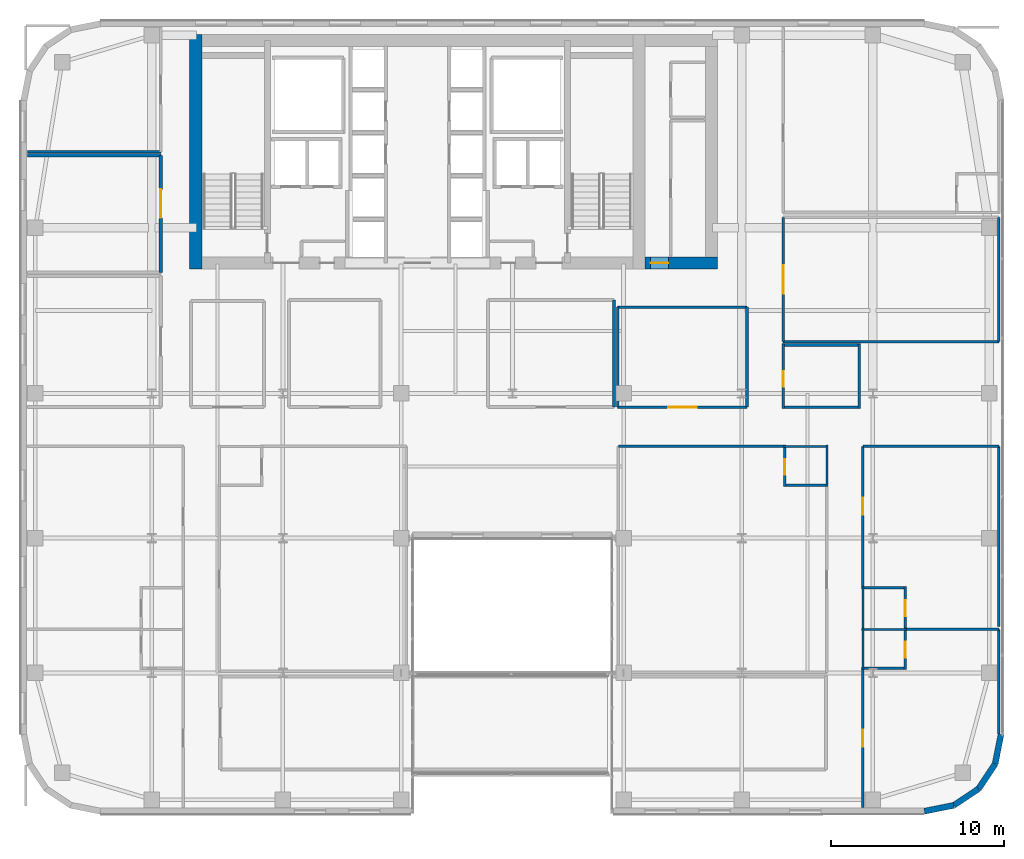
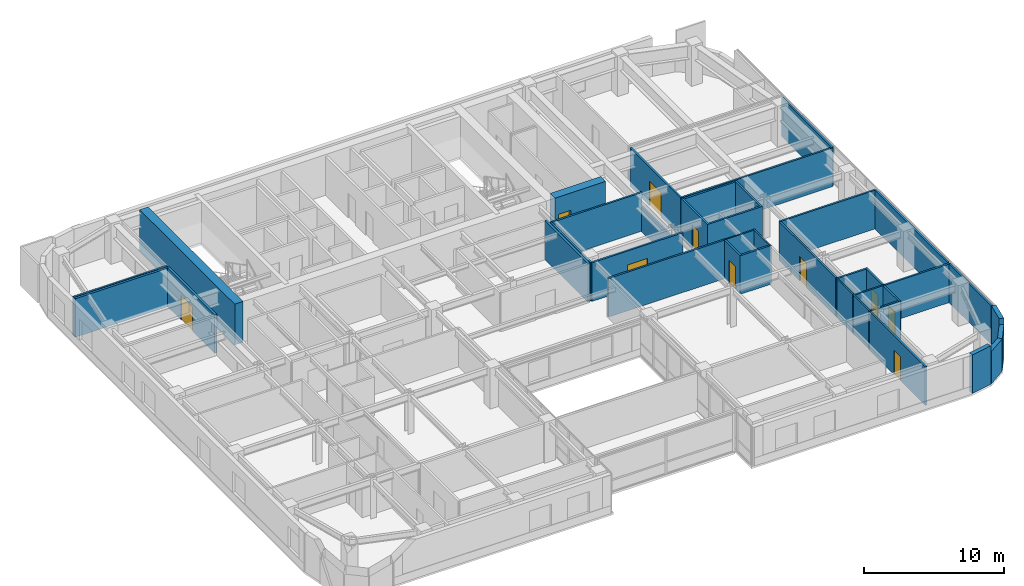
# One storey, part 23 of 31: 39 walls, 10 doors, 10 openings.
"""IFC4 building model written with IfcOpenShell, lengths in metres."""

from ifc_helpers import new_model, si_unit, direction, frame, frame_2d, origin, place, context, subcontext, project, spatial, rectangle, extrude, source, transform, mapped, material, layer, layer_set, type_object, type_shapes, element, fill, save


model = new_model("IFC4")

# Units and contexts
model_context = context("Model", 3, precision=1e-05, world=origin(), true_north=direction((0.0, 1.0)))
body_context = subcontext(model_context, "Body", "Model", "MODEL_VIEW")
ifc_project = project(units=[si_unit("LENGTHUNIT", "METRE"), si_unit("AREAUNIT", "SQUARE_METRE"), si_unit("VOLUMEUNIT", "CUBIC_METRE"), si_unit("PLANEANGLEUNIT", "RADIAN"), si_unit("MASSUNIT", "GRAM", prefix="KILO")], contexts=[model_context])

# Site, building, storey
site_placement = place(None, origin())
site = spatial("IfcSite", under=ifc_project, at=site_placement, CompositionType="ELEMENT")
building_placement = place(site_placement, origin())
building = spatial("IfcBuilding", under=site, at=building_placement, Name="Tolvann Quenvar Hotel", CompositionType="ELEMENT")
storey_placement = place(building_placement, frame((0.0, 0.0, 125.75)))
storey = spatial("IfcBuildingStorey", under=building, at=storey_placement, Name="L32", CompositionType="ELEMENT", Elevation=125.75)

# Wall
ifc_material_1 = material(Name="Concrete S65 (65 MPa)", Category="concrete")
ifc_layer_1 = layer(ifc_material_1, 0.699951171875)
ifc_layer_set_1 = layer_set([ifc_layer_1], Name="Concrete S65 (65 MPa)")
wall_type_1 = type_object("IfcWallType", Name="WALL_CORE_700", PredefinedType="SHEAR", material=ifc_layer_set_1)
wall_1_placement = place(storey_placement, frame((10.14990234375, 31.60009765625, 0.0), z_axis=(0.0, 0.0, 1.0), x_axis=(0.0, 1.0, 0.0)))
element("IfcWall", 1, at=wall_1_placement, inside=storey, type_object=wall_type_1, Name="Rear Core W Shear Wall (L32)", PredefinedType="SHEAR", context=body_context, shape_type="SweptSolid", body=[
    extrude(rectangle(XDim=13.599853515625, YDim=0.699951171875, at=frame_2d((6.7998046875, 0.0))), origin(), (0.0, 0.0, 1.0), 3.550048828125),
])

# Wall, opening, door
wall_2_placement = place(storey_placement, frame((36.199951171875, 31.949951171875, 0.0), z_axis=(0.0, 0.0, 1.0), x_axis=(1.0, 0.0, 0.0)))
wall_2 = element("IfcWall", 2, at=wall_2_placement, inside=storey, type_object=wall_type_1, Name="Core East Annex Shear Wall ANN-S (L32)", PredefinedType="SHEAR", context=body_context, shape_type="SweptSolid", body=[
    extrude(rectangle(XDim=4.199951171875, YDim=0.699951171875, at=frame_2d((2.10009765625, 0.0))), origin(), (0.0, 0.0, 1.0), 3.550048828125),
])
opening_1_placement = place(wall_2_placement, frame((1.340087890625, 0.0, 0.0), z_axis=(0.0, 0.0, 1.0), x_axis=(-1.0, 0.0, 0.0)))
opening_1 = element("IfcOpeningElement", 3, at=opening_1_placement, cuts=wall_2, Name="Opening HD-01", PredefinedType="OPENING", context=body_context, shape_type="SweptSolid", body=[
    extrude(rectangle(XDim=1.02001953125, YDim=2.030029296875, at=frame_2d((0.510009765625, 1.01513671875))), frame((0.0, 0.35986328125, 0.0), z_axis=(0.0, -1.0, 0.0), x_axis=(1.0, 0.0, 0.0)), (0.0, 0.0, 1.0), 0.719970703125),
])
ifc_material_2 = material(Name="Pressed galvanised steel fire-rated door set", Category="steel")
door_type_1 = type_object("IfcDoorType", Name="DOOR_BOH_1020", OperationType="NOTDEFINED", PredefinedType="DOOR", material=ifc_material_2)
shared_shape_1 = source(origin(), body_context, "Body", "SweptSolid", [
    extrude(rectangle(XDim=1.02001953125, YDim=2.030029296875, at=frame_2d((0.510009765625, 1.01513671875))), frame((0.0, 0.02490234375, 0.0), z_axis=(0.0, -1.0, 0.0), x_axis=(1.0, 0.0, 0.0)), (0.0, 0.0, 1.0), 0.050048828125),
])
type_shapes(door_type_1, [shared_shape_1])
door_1_placement = place(opening_1_placement, origin())
door_1 = element("IfcDoor", 4, at=door_1_placement, inside=storey, type_object=door_type_1, Name="Housekeeping Annex Fire Door (L32)", OperationType="SINGLE_SWING_LEFT", OverallHeight=2.030029296875, OverallWidth=1.02001953125, PredefinedType="DOOR", context=body_context, shape_type="MappedRepresentation", body=[
    mapped(shared_shape_1, transform((0.0, 0.0, 0.0), x_axis=(1.0, 0.0, 0.0), y_axis=(0.0, 1.0, 0.0), z_axis=(0.0, 0.0, 1.0), scale=1.0)),
])
fill(opening_1, door_1)

# Walls
ifc_material_3 = material(Name="Kiln-fired red and buff architectural clay brickwork and terracotta masonry", Category="masonry")
ifc_layer_2 = layer(ifc_material_3, 0.35009765625)
ifc_layer_set_2 = layer_set([ifc_layer_2], Name="Kiln-fired red and buff architectural clay brickwork and terracotta masonry")
wall_type_2 = type_object("IfcWallType", Name="WALL_EXT_BRICK_350", PredefinedType="SOLIDWALL", material=ifc_layer_set_2)
wall_3_placement = place(storey_placement, frame((52.3828125, 0.175048828125, 0.0), z_axis=(0.0, 0.0, 1.0), x_axis=(0.980800971659, 0.195011420161, 0.0)))
element("IfcWall", 5, at=wall_3_placement, inside=storey, type_object=wall_type_2, Name="Exterior Chicago Brick Wall L32-E09", PredefinedType="SOLIDWALL", context=body_context, shape_type="SweptSolid", body=[
    extrude(rectangle(XDim=1.74267578125, YDim=0.35009765625, at=frame_2d((0.871337890625, 0.0))), origin(), (0.0, 0.0, 1.0), 3.3701171875),
])
for number, where, z_axis, x_axis, name in (
    (6, (54.092041015625, 0.514892578125, 0.0), (0.0, 0.0, 1.0), (0.831483840845, 0.55554893791, 0.0), "Exterior Chicago Brick Wall L32-E10"),
    (7, (55.526611328125, 1.473388671875, 0.0), (0.0, 0.0, 1.0), (0.55554893791, 0.831483840845, 0.0), "Exterior Chicago Brick Wall L32-E11"),
):
    element("IfcWall", number, at=place(storey_placement, frame(where, z_axis=z_axis, x_axis=x_axis)), inside=storey, type_object=wall_type_2, Name=name, PredefinedType="SOLIDWALL", context=body_context, shape_type="SweptSolid", body=[
        extrude(rectangle(XDim=1.725341796875, YDim=0.35009765625, at=frame_2d((0.86279296875, 0.0))), origin(), (0.0, 0.0, 1.0), 2.83203125),
    ])
wall_4_placement = place(storey_placement, frame((56.485107421875, 2.907958984375, 0.0), z_axis=(0.0, 0.0, 1.0), x_axis=(0.195011420161, 0.980800971659, 0.0)))
element("IfcWall", 8, at=wall_4_placement, inside=storey, type_object=wall_type_2, Name="Exterior Chicago Brick Wall L32-E12", PredefinedType="SOLIDWALL", context=body_context, shape_type="SweptSolid", body=[
    extrude(rectangle(XDim=1.74267578125, YDim=0.35009765625, at=frame_2d((0.871337890625, 0.0))), origin(), (0.0, 0.0, 1.0), 3.3701171875),
])
ifc_material_4 = material(Name="Acoustic twin-stud fire-rated gypsum plasterboard partition")
ifc_layer_3 = layer(ifc_material_4, 0.179931640625)
ifc_layer_set_3 = layer_set([ifc_layer_3], Name="Acoustic twin-stud fire-rated gypsum plasterboard partition")
wall_type_3 = type_object("IfcWallType", Name="WALL_PART_ACOUSTIC_180", PredefinedType="PARTITIONING", material=ifc_layer_set_3)
wall_5_placement = place(storey_placement, frame((0.405029296875, 38.199951171875, 0.0), z_axis=(0.0, 0.0, 1.0), x_axis=(1.0, 0.0, 0.0)))
element("IfcWall", 9, at=wall_5_placement, inside=storey, type_object=wall_type_3, Name="Interior Partition PT-SPC-L32-MTG-N", PredefinedType="PARTITIONING", context=body_context, shape_type="SweptSolid", body=[
    extrude(rectangle(XDim=7.715087890625, YDim=0.179931640625, at=frame_2d((3.857421875, 0.0))), origin(), (0.0, 0.0, 1.0), 3.3701171875),
])

# Wall, opening, door
wall_6_placement = place(storey_placement, frame((8.1201171875, 31.39990234375, 0.0), z_axis=(0.0, 0.0, 1.0), x_axis=(0.0, 1.0, 0.0)))
wall_6 = element("IfcWall", 10, at=wall_6_placement, inside=storey, type_object=wall_type_3, Name="Interior Partition PT-SPC-L32-MTG-E", PredefinedType="PARTITIONING", context=body_context, shape_type="SweptSolid", body=[
    extrude(rectangle(XDim=6.800048828125, YDim=0.179931640625, at=frame_2d((3.39990234375, 0.0))), origin(), (0.0, 0.0, 1.0), 3.3701171875),
])
opening_2_placement = place(wall_6_placement, frame((3.175048828125, 0.0, 0.0)))
opening_2 = element("IfcOpeningElement", 11, at=opening_2_placement, cuts=wall_6, Name="Opening AD-01", PredefinedType="OPENING", context=body_context, shape_type="SweptSolid", body=[
    extrude(rectangle(XDim=1.64990234375, YDim=2.14990234375, at=frame_2d((0.824951171875, 1.074951171875))), frame((0.0, 0.10009765625, 0.0), z_axis=(0.0, -1.0, 0.0), x_axis=(1.0, 0.0, 0.0)), (0.0, 0.0, 1.0), 0.199951171875),
])
ifc_material_5 = material(Name="Solid-core American oak acoustic fire door leaf in steel frame", Category="steel")
door_type_2 = type_object("IfcDoorType", Name="DOOR_SALON_1650", OperationType="NOTDEFINED", PredefinedType="DOOR", material=ifc_material_5)
shared_shape_2 = source(origin(), body_context, "Body", "SweptSolid", [
    extrude(rectangle(XDim=1.64990234375, YDim=2.14990234375, at=frame_2d((0.824951171875, 1.074951171875))), frame((0.0, 0.02490234375, 0.0), z_axis=(0.0, -1.0, 0.0), x_axis=(1.0, 0.0, 0.0)), (0.0, 0.0, 1.0), 0.050048828125),
])
type_shapes(door_type_2, [shared_shape_2])
door_2_placement = place(opening_2_placement, origin())
door_2 = element("IfcDoor", 12, at=door_2_placement, inside=storey, type_object=door_type_2, Name="Interior Door DOOR-SPC-L32-MTG", OperationType="DOUBLE_DOOR_SINGLE_SWING", OverallHeight=2.14990234375, OverallWidth=1.64990234375, PredefinedType="DOOR", context=body_context, shape_type="MappedRepresentation", body=[
    mapped(shared_shape_2, transform((0.0, 0.0, 0.0), x_axis=(1.0, 0.0, 0.0), y_axis=(0.0, 1.0, 0.0), z_axis=(0.0, 0.0, 1.0), scale=1.0)),
])
fill(opening_2, door_2)

# Walls
wall_7_placement = place(storey_placement, frame((34.39990234375, 23.60009765625, 0.0), z_axis=(0.0, 0.0, 1.0), x_axis=(0.0, 1.0, 0.0)))
element("IfcWall", 13, at=wall_7_placement, inside=storey, type_object=wall_type_3, Name="Interior Partition PT-SPC-L32-MSP-C-E", PredefinedType="PARTITIONING", context=body_context, shape_type="SweptSolid", body=[
    extrude(rectangle(XDim=6.199951171875, YDim=0.179931640625, at=frame_2d((3.10009765625, 0.0))), origin(), (0.0, 0.0, 1.0), 3.3701171875),
])
ifc_material_6 = material(Name="Moisture-resistant acoustic plumbing wall assembly")
ifc_layer_4 = layer(ifc_material_6, 0.1201171875)
ifc_layer_set_4 = layer_set([ifc_layer_4], Name="Moisture-resistant acoustic plumbing wall assembly")
wall_type_4 = type_object("IfcWallType", Name="WALL_PART_BATH_120", PredefinedType="PLUMBINGWALL", material=ifc_layer_set_4)
wall_8_placement = place(storey_placement, frame((44.2099609375, 21.320068359375, 0.0), z_axis=(0.0, 0.0, 1.0), x_axis=(1.0, 0.0, 0.0)))
element("IfcWall", 14, at=wall_8_placement, inside=storey, type_object=wall_type_4, Name="Non-Rated Plumbing Partition PT-SPC-L32-ENS-EI01-N", PredefinedType="PLUMBINGWALL", context=body_context, shape_type="SweptSolid", body=[
    extrude(rectangle(XDim=2.590087890625, YDim=0.1201171875, at=frame_2d((1.294921875, 0.0))), origin(), (0.0, 0.0, 1.0), 3.3701171875),
])
wall_9_placement = place(storey_placement, frame((46.72998046875, 19.0, 0.0), z_axis=(0.0, 0.0, 1.0), x_axis=(0.0, 1.0, 0.0)))
element("IfcWall", 15, at=wall_9_placement, inside=storey, type_object=wall_type_4, Name="Non-Rated Plumbing Partition PT-SPC-L32-ENS-EI01-E", PredefinedType="PLUMBINGWALL", context=body_context, shape_type="SweptSolid", body=[
    extrude(rectangle(XDim=2.389892578125, YDim=0.1201171875, at=frame_2d((1.19482421875, 0.0))), origin(), (0.0, 0.0, 1.0), 3.3701171875),
])
wall_10_placement = place(storey_placement, frame((48.75, 10.719970703125, 0.0), z_axis=(0.0, 0.0, 1.0), x_axis=(1.0, 0.0, 0.0)))
element("IfcWall", 16, at=wall_10_placement, inside=storey, type_object=wall_type_4, Name="Non-Rated Plumbing Partition PT-SPC-L32-ENS-EO01-N", PredefinedType="PLUMBINGWALL", context=body_context, shape_type="SweptSolid", body=[
    extrude(rectangle(XDim=2.590087890625, YDim=0.1201171875, at=frame_2d((1.294921875, 0.0))), origin(), (0.0, 0.0, 1.0), 3.3701171875),
])
wall_11_placement = place(storey_placement, frame((48.820068359375, 8.39990234375, 0.0), z_axis=(0.0, 0.0, 1.0), x_axis=(0.0, 1.0, 0.0)))
element("IfcWall", 17, at=wall_11_placement, inside=storey, type_object=wall_type_4, Name="Non-Rated Plumbing Partition PT-SPC-L32-ENS-EO01-W", PredefinedType="PLUMBINGWALL", context=body_context, shape_type="SweptSolid", body=[
    extrude(rectangle(XDim=2.39013671875, YDim=0.1201171875, at=frame_2d((1.195068359375, 0.0))), origin(), (0.0, 0.0, 1.0), 3.3701171875),
])
wall_12_placement = place(storey_placement, frame((48.820068359375, 10.81005859375, 0.0), z_axis=(0.0, 0.0, 1.0), x_axis=(0.0, 1.0, 0.0)))
element("IfcWall", 18, at=wall_12_placement, inside=storey, type_object=wall_type_4, Name="Non-Rated Plumbing Partition PT-SPC-L32-ENS-EO02-W", PredefinedType="PLUMBINGWALL", context=body_context, shape_type="SweptSolid", body=[
    extrude(rectangle(XDim=2.389892578125, YDim=0.1201171875, at=frame_2d((1.19482421875, 0.0))), origin(), (0.0, 0.0, 1.0), 3.3701171875),
])

# Wall, opening, door
ifc_layer_5 = layer(ifc_material_4, 0.14990234375)
ifc_layer_set_5 = layer_set([ifc_layer_5], Name="Acoustic twin-stud fire-rated gypsum plasterboard partition")
wall_type_5 = type_object("IfcWallType", Name="WALL_PART_SUITE_150", PredefinedType="PARTITIONING", material=ifc_layer_set_5)
wall_13_placement = place(storey_placement, frame((44.280029296875, 19.0, 0.0), z_axis=(0.0, 0.0, 1.0), x_axis=(0.0, 1.0, 0.0)))
wall_13 = element("IfcWall", 19, at=wall_13_placement, inside=storey, type_object=wall_type_5, Name="Interior Partition PT-SPC-L32-ENS-EI01-ENT", PredefinedType="PARTITIONING", context=body_context, shape_type="SweptSolid", body=[
    extrude(rectangle(XDim=2.389892578125, YDim=0.14990234375, at=frame_2d((1.19482421875, 0.0))), origin(), (0.0, 0.0, 1.0), 3.3701171875),
])
opening_3_placement = place(wall_13_placement, frame((0.6650390625, 0.0, 0.0)))
opening_3 = element("IfcOpeningElement", 20, at=opening_3_placement, cuts=wall_13, Name="Opening WD-01", PredefinedType="OPENING", context=body_context, shape_type="SweptSolid", body=[
    extrude(rectangle(XDim=0.919921875, YDim=2.010009765625, at=frame_2d((0.4599609375, 1.0048828125))), frame((0.0, 0.0849609375, 0.0), z_axis=(0.0, -1.0, 0.0), x_axis=(1.0, 0.0, 0.0)), (0.0, 0.0, 1.0), 0.169921875),
])
door_type_3 = type_object("IfcDoorType", Name="DOOR_WC_920", OperationType="NOTDEFINED", PredefinedType="DOOR", material=ifc_material_5)
shared_shape_3 = source(origin(), body_context, "Body", "SweptSolid", [
    extrude(rectangle(XDim=0.919921875, YDim=2.010009765625, at=frame_2d((0.4599609375, 1.0048828125))), frame((0.0, 0.02490234375, 0.0), z_axis=(0.0, -1.0, 0.0), x_axis=(1.0, 0.0, 0.0)), (0.0, 0.0, 1.0), 0.050048828125),
])
type_shapes(door_type_3, [shared_shape_3])
door_3_placement = place(opening_3_placement, origin())
door_3 = element("IfcDoor", 21, at=door_3_placement, inside=storey, type_object=door_type_3, Name="Interior Door DOOR-SPC-L32-ENS-EI01", OperationType="SINGLE_SWING_RIGHT", OverallHeight=2.010009765625, OverallWidth=0.919921875, PredefinedType="DOOR", context=body_context, shape_type="MappedRepresentation", body=[
    mapped(shared_shape_3, transform((0.0, 0.0, 0.0), x_axis=(1.0, 0.0, 0.0), y_axis=(0.0, 1.0, 0.0), z_axis=(0.0, 0.0, 1.0), scale=1.0)),
])
fill(opening_3, door_3)

# Wall
wall_14_placement = place(storey_placement, frame((44.2099609375, 19.070068359375, 0.0), z_axis=(0.0, 0.0, 1.0), x_axis=(1.0, 0.0, 0.0)))
element("IfcWall", 22, at=wall_14_placement, inside=storey, type_object=wall_type_5, Name="Interior Partition PT-SPC-L32-ENS-EI01-S", PredefinedType="PARTITIONING", context=body_context, shape_type="SweptSolid", body=[
    extrude(rectangle(XDim=2.590087890625, YDim=0.14990234375, at=frame_2d((1.294921875, 0.0))), origin(), (0.0, 0.0, 1.0), 3.3701171875),
])

# Wall, opening, door
wall_15_placement = place(storey_placement, frame((51.27001953125, 8.39990234375, 0.0), z_axis=(0.0, 0.0, 1.0), x_axis=(0.0, 1.0, 0.0)))
wall_15 = element("IfcWall", 23, at=wall_15_placement, inside=storey, type_object=wall_type_5, Name="Interior Partition PT-SPC-L32-ENS-EO01-ENT", PredefinedType="PARTITIONING", context=body_context, shape_type="SweptSolid", body=[
    extrude(rectangle(XDim=2.39013671875, YDim=0.14990234375, at=frame_2d((1.195068359375, 0.0))), origin(), (0.0, 0.0, 1.0), 3.3701171875),
])
opening_4_placement = place(wall_15_placement, frame((0.6650390625, 0.0, 0.0)))
opening_4 = element("IfcOpeningElement", 24, at=opening_4_placement, cuts=wall_15, Name="Opening WD-01", PredefinedType="OPENING", context=body_context, shape_type="SweptSolid", body=[
    extrude(rectangle(XDim=0.919921875, YDim=2.010009765625, at=frame_2d((0.4599609375, 1.0048828125))), frame((0.0, 0.0849609375, 0.0), z_axis=(0.0, -1.0, 0.0), x_axis=(1.0, 0.0, 0.0)), (0.0, 0.0, 1.0), 0.169921875),
])
door_4_placement = place(opening_4_placement, origin())
door_4 = element("IfcDoor", 25, at=door_4_placement, inside=storey, type_object=door_type_3, Name="Interior Door DOOR-SPC-L32-ENS-EO01", OperationType="SINGLE_SWING_LEFT", OverallHeight=2.010009765625, OverallWidth=0.919921875, PredefinedType="DOOR", context=body_context, shape_type="MappedRepresentation", body=[
    mapped(shared_shape_3, transform((0.0, 0.0, 0.0), x_axis=(1.0, 0.0, 0.0), y_axis=(0.0, 1.0, 0.0), z_axis=(0.0, 0.0, 1.0), scale=1.0)),
])
fill(opening_4, door_4)

# Wall
wall_16_placement = place(storey_placement, frame((48.75, 8.469970703125, 0.0), z_axis=(0.0, 0.0, 1.0), x_axis=(1.0, 0.0, 0.0)))
element("IfcWall", 26, at=wall_16_placement, inside=storey, type_object=wall_type_5, Name="Interior Partition PT-SPC-L32-ENS-EO01-S", PredefinedType="PARTITIONING", context=body_context, shape_type="SweptSolid", body=[
    extrude(rectangle(XDim=2.590087890625, YDim=0.14990234375, at=frame_2d((1.294921875, 0.0))), origin(), (0.0, 0.0, 1.0), 3.3701171875),
])

# Wall, opening, door
wall_17_placement = place(storey_placement, frame((51.27001953125, 10.81005859375, 0.0), z_axis=(0.0, 0.0, 1.0), x_axis=(0.0, 1.0, 0.0)))
wall_17 = element("IfcWall", 27, at=wall_17_placement, inside=storey, type_object=wall_type_5, Name="Interior Partition PT-SPC-L32-ENS-EO02-ENT", PredefinedType="PARTITIONING", context=body_context, shape_type="SweptSolid", body=[
    extrude(rectangle(XDim=2.389892578125, YDim=0.14990234375, at=frame_2d((1.19482421875, 0.0))), origin(), (0.0, 0.0, 1.0), 3.3701171875),
])
opening_5_placement = place(wall_17_placement, frame((0.6650390625, 0.0, 0.0)))
opening_5 = element("IfcOpeningElement", 28, at=opening_5_placement, cuts=wall_17, Name="Opening WD-01", PredefinedType="OPENING", context=body_context, shape_type="SweptSolid", body=[
    extrude(rectangle(XDim=0.919921875, YDim=2.010009765625, at=frame_2d((0.4599609375, 1.0048828125))), frame((0.0, 0.0849609375, 0.0), z_axis=(0.0, -1.0, 0.0), x_axis=(1.0, 0.0, 0.0)), (0.0, 0.0, 1.0), 0.169921875),
])
door_5_placement = place(opening_5_placement, origin())
door_5 = element("IfcDoor", 29, at=door_5_placement, inside=storey, type_object=door_type_3, Name="Interior Door DOOR-SPC-L32-ENS-EO02", OperationType="SINGLE_SWING_RIGHT", OverallHeight=2.010009765625, OverallWidth=0.919921875, PredefinedType="DOOR", context=body_context, shape_type="MappedRepresentation", body=[
    mapped(shared_shape_3, transform((0.0, 0.0, 0.0), x_axis=(1.0, 0.0, 0.0), y_axis=(0.0, 1.0, 0.0), z_axis=(0.0, 0.0, 1.0), scale=1.0)),
])
fill(opening_5, door_5)

# Walls
wall_18_placement = place(storey_placement, frame((48.75, 13.1298828125, 0.0), z_axis=(0.0, 0.0, 1.0), x_axis=(1.0, 0.0, 0.0)))
element("IfcWall", 30, at=wall_18_placement, inside=storey, type_object=wall_type_5, Name="Interior Partition PT-SPC-L32-ENS-EO02-N", PredefinedType="PARTITIONING", context=body_context, shape_type="SweptSolid", body=[
    extrude(rectangle(XDim=2.590087890625, YDim=0.14990234375, at=frame_2d((1.294921875, 0.0))), origin(), (0.0, 0.0, 1.0), 3.3701171875),
])
wall_19_placement = place(storey_placement, frame((34.64990234375, 21.320068359375, 0.0), z_axis=(0.0, 0.0, 1.0), x_axis=(1.0, 0.0, 0.0)))
element("IfcWall", 31, at=wall_19_placement, inside=storey, type_object=wall_type_5, Name="Interior Partition PT-SPC-L32-RM-EI01-E5", PredefinedType="PARTITIONING", context=body_context, shape_type="SweptSolid", body=[
    extrude(rectangle(XDim=9.610107421875, YDim=0.14990234375, at=frame_2d((4.80517578125, 0.0))), origin(), (0.0, 0.0, 1.0), 3.3701171875),
])

# Wall, opening, door
wall_20_placement = place(storey_placement, frame((48.820068359375, 0.405029296875, 0.0), z_axis=(0.0, 0.0, 1.0), x_axis=(0.0, 1.0, 0.0)))
wall_20 = element("IfcWall", 32, at=wall_20_placement, inside=storey, type_object=wall_type_5, Name="Interior Partition PT-SPC-L32-RM-EO01-ENT", PredefinedType="PARTITIONING", context=body_context, shape_type="SweptSolid", body=[
    extrude(rectangle(XDim=7.98486328125, YDim=0.14990234375, at=frame_2d((3.992431640625, 0.0))), origin(), (0.0, 0.0, 1.0), 3.3701171875),
])
opening_6_placement = place(wall_20_placement, frame((3.510009765625, 0.0, 0.0)))
opening_6 = element("IfcOpeningElement", 33, at=opening_6_placement, cuts=wall_20, Name="Opening SD-01", PredefinedType="OPENING", context=body_context, shape_type="SweptSolid", body=[
    extrude(rectangle(XDim=0.97998046875, YDim=2.1201171875, at=frame_2d((0.489990234375, 1.06005859375))), frame((0.0, 0.0849609375, 0.0), z_axis=(0.0, -1.0, 0.0), x_axis=(1.0, 0.0, 0.0)), (0.0, 0.0, 1.0), 0.169921875),
])
door_type_4 = type_object("IfcDoorType", Name="DOOR_SUITE_980", OperationType="NOTDEFINED", PredefinedType="DOOR", material=ifc_material_5)
shared_shape_4 = source(origin(), body_context, "Body", "SweptSolid", [
    extrude(rectangle(XDim=0.97998046875, YDim=2.1201171875, at=frame_2d((0.489990234375, 1.06005859375))), frame((0.0, 0.02490234375, 0.0), z_axis=(0.0, -1.0, 0.0), x_axis=(1.0, 0.0, 0.0)), (0.0, 0.0, 1.0), 0.050048828125),
])
type_shapes(door_type_4, [shared_shape_4])
door_6_placement = place(opening_6_placement, origin())
door_6 = element("IfcDoor", 34, at=door_6_placement, inside=storey, type_object=door_type_4, Name="Interior Door DOOR-SPC-L32-RM-EO01", OperationType="SINGLE_SWING_RIGHT", OverallHeight=2.1201171875, OverallWidth=0.97998046875, PredefinedType="DOOR", context=body_context, shape_type="MappedRepresentation", body=[
    mapped(shared_shape_4, transform((0.0, 0.0, 0.0), x_axis=(1.0, 0.0, 0.0), y_axis=(0.0, 1.0, 0.0), z_axis=(0.0, 0.0, 1.0), scale=1.0)),
])
fill(opening_6, door_6)

# Walls
wall_21_placement = place(storey_placement, frame((56.699951171875, 4.64208984375, 0.0), z_axis=(0.0, 0.0, 1.0), x_axis=(0.0, 1.0, 0.0)))
element("IfcWall", 35, at=wall_21_placement, inside=storey, type_object=wall_type_5, Name="Interior Partition PT-SPC-L32-RM-EO01-E2", PredefinedType="PARTITIONING", context=body_context, shape_type="SweptSolid", body=[
    extrude(rectangle(XDim=6.077880859375, YDim=0.14990234375, at=frame_2d((3.0390625, 0.0))), origin(), (0.0, 0.0, 1.0), 3.3701171875),
])
wall_22_placement = place(storey_placement, frame((51.2900390625, 10.719970703125, 0.0), z_axis=(0.0, 0.0, 1.0), x_axis=(1.0, 0.0, 0.0)))
element("IfcWall", 36, at=wall_22_placement, inside=storey, type_object=wall_type_5, Name="Interior Partition PT-SPC-L32-RM-EO01-E3", PredefinedType="PARTITIONING", context=body_context, shape_type="SweptSolid", body=[
    extrude(rectangle(XDim=5.409912109375, YDim=0.14990234375, at=frame_2d((2.705078125, 0.0))), origin(), (0.0, 0.0, 1.0), 3.3701171875),
])

# Wall, opening, door
wall_23_placement = place(storey_placement, frame((48.820068359375, 13.2099609375, 0.0), z_axis=(0.0, 0.0, 1.0), x_axis=(0.0, 1.0, 0.0)))
wall_23 = element("IfcWall", 37, at=wall_23_placement, inside=storey, type_object=wall_type_5, Name="Interior Partition PT-SPC-L32-RM-EO02-ENT", PredefinedType="PARTITIONING", context=body_context, shape_type="SweptSolid", body=[
    extrude(rectangle(XDim=8.110107421875, YDim=0.14990234375, at=frame_2d((4.05517578125, 0.0))), origin(), (0.0, 0.0, 1.0), 3.3701171875),
])
opening_7_placement = place(wall_23_placement, frame((4.14501953125, 0.0, 0.0)))
opening_7 = element("IfcOpeningElement", 38, at=opening_7_placement, cuts=wall_23, Name="Opening SD-01", PredefinedType="OPENING", context=body_context, shape_type="SweptSolid", body=[
    extrude(rectangle(XDim=0.97998046875, YDim=2.1201171875, at=frame_2d((0.489990234375, 1.06005859375))), frame((0.0, 0.0849609375, 0.0), z_axis=(0.0, -1.0, 0.0), x_axis=(1.0, 0.0, 0.0)), (0.0, 0.0, 1.0), 0.169921875),
])
door_7_placement = place(opening_7_placement, origin())
door_7 = element("IfcDoor", 39, at=door_7_placement, inside=storey, type_object=door_type_4, Name="Interior Door DOOR-SPC-L32-RM-EO02", OperationType="SINGLE_SWING_LEFT", OverallHeight=2.1201171875, OverallWidth=0.97998046875, PredefinedType="DOOR", context=body_context, shape_type="MappedRepresentation", body=[
    mapped(shared_shape_4, transform((0.0, 0.0, 0.0), x_axis=(1.0, 0.0, 0.0), y_axis=(0.0, 1.0, 0.0), z_axis=(0.0, 0.0, 1.0), scale=1.0)),
])
fill(opening_7, door_7)

# Walls
wall_24_placement = place(storey_placement, frame((56.699951171875, 10.8798828125, 0.0), z_axis=(0.0, 0.0, 1.0), x_axis=(0.0, 1.0, 0.0)))
element("IfcWall", 40, at=wall_24_placement, inside=storey, type_object=wall_type_5, Name="Interior Partition PT-SPC-L32-RM-EO02-E4", PredefinedType="PARTITIONING", context=body_context, shape_type="SweptSolid", body=[
    extrude(rectangle(XDim=10.440185546875, YDim=0.14990234375, at=frame_2d((5.22021484375, 0.0))), origin(), (0.0, 0.0, 1.0), 3.3701171875),
])
wall_25_placement = place(storey_placement, frame((48.820068359375, 21.320068359375, 0.0), z_axis=(0.0, 0.0, 1.0), x_axis=(1.0, 0.0, 0.0)))
element("IfcWall", 41, at=wall_25_placement, inside=storey, type_object=wall_type_5, Name="Interior Partition PT-SPC-L32-RM-EO02-E5", PredefinedType="PARTITIONING", context=body_context, shape_type="SweptSolid", body=[
    extrude(rectangle(XDim=7.8798828125, YDim=0.14990234375, at=frame_2d((3.93994140625, 0.0))), origin(), (0.0, 0.0, 1.0), 3.3701171875),
])
wall_26_placement = place(storey_placement, frame((0.405029296875, 38.39990234375, 0.0), z_axis=(0.0, 0.0, 1.0), x_axis=(1.0, 0.0, 0.0)))
element("IfcWall", 42, at=wall_26_placement, inside=storey, type_object=wall_type_5, Name="Interior Partition PT-SPC-L32-TEA-S", PredefinedType="PARTITIONING", context=body_context, shape_type="SweptSolid", body=[
    extrude(rectangle(XDim=7.715087890625, YDim=0.14990234375, at=frame_2d((3.857421875, 0.0))), origin(), (0.0, 0.0, 1.0), 3.3701171875),
])

# Wall, opening, door
wall_27_placement = place(storey_placement, frame((44.199951171875, 23.530029296875, 0.0), z_axis=(0.0, 0.0, 1.0), x_axis=(0.0, 1.0, 0.0)))
wall_27 = element("IfcWall", 43, at=wall_27_placement, inside=storey, type_object=wall_type_5, Name="Interior Partition PT-SPC-L32-WCA-ENT", PredefinedType="PARTITIONING", context=body_context, shape_type="SweptSolid", body=[
    extrude(rectangle(XDim=3.739990234375, YDim=0.14990234375, at=frame_2d((1.8701171875, 0.0))), origin(), (0.0, 0.0, 1.0), 3.3701171875),
])
opening_8_placement = place(wall_27_placement, frame((1.239990234375, 0.0, 0.0)))
opening_8 = element("IfcOpeningElement", 44, at=opening_8_placement, cuts=wall_27, Name="Opening WD-01", PredefinedType="OPENING", context=body_context, shape_type="SweptSolid", body=[
    extrude(rectangle(XDim=0.919921875, YDim=2.010009765625, at=frame_2d((0.4599609375, 1.0048828125))), frame((0.0, 0.0849609375, 0.0), z_axis=(0.0, -1.0, 0.0), x_axis=(1.0, 0.0, 0.0)), (0.0, 0.0, 1.0), 0.169921875),
])
door_8_placement = place(opening_8_placement, origin())
door_8 = element("IfcDoor", 45, at=door_8_placement, inside=storey, type_object=door_type_3, Name="Interior Door DOOR-SPC-L32-WCA", OperationType="SINGLE_SWING_RIGHT", OverallHeight=2.010009765625, OverallWidth=0.919921875, PredefinedType="DOOR", context=body_context, shape_type="MappedRepresentation", body=[
    mapped(shared_shape_3, transform((0.0, 0.0, 0.0), x_axis=(1.0, 0.0, 0.0), y_axis=(0.0, 1.0, 0.0), z_axis=(0.0, 0.0, 1.0), scale=1.0)),
])
fill(opening_8, door_8)

# Walls
for number, where, z_axis, x_axis, name in (
    (46, (44.1298828125, 23.60009765625, 0.0), (0.0, 0.0, 1.0), (1.0, 0.0, 0.0), "Interior Partition PT-SPC-L32-WCA-S"),
    (47, (44.1298828125, 27.199951171875, 0.0), (0.0, 0.0, 1.0), (1.0, 0.0, 0.0), "Interior Partition PT-SPC-L32-WCA-N"),
):
    element("IfcWall", number, at=place(storey_placement, frame(where, z_axis=z_axis, x_axis=x_axis)), inside=storey, type_object=wall_type_5, Name=name, PredefinedType="PARTITIONING", context=body_context, shape_type="SweptSolid", body=[
        extrude(rectangle(XDim=4.5400390625, YDim=0.14990234375, at=frame_2d((2.27001953125, 0.0))), origin(), (0.0, 0.0, 1.0), 3.3701171875),
    ])
wall_28_placement = place(storey_placement, frame((48.60009765625, 23.530029296875, 0.0), z_axis=(0.0, 0.0, 1.0), x_axis=(0.0, 1.0, 0.0)))
element("IfcWall", 48, at=wall_28_placement, inside=storey, type_object=wall_type_5, Name="Interior Partition PT-SPC-L32-WCA-E", PredefinedType="PARTITIONING", context=body_context, shape_type="SweptSolid", body=[
    extrude(rectangle(XDim=3.739990234375, YDim=0.14990234375, at=frame_2d((1.8701171875, 0.0))), origin(), (0.0, 0.0, 1.0), 3.3701171875),
])
wall_29_placement = place(storey_placement, frame((44.199951171875, 27.39990234375, 0.0), z_axis=(0.0, 0.0, 1.0), x_axis=(1.0, 0.0, 0.0)))
element("IfcWall", 49, at=wall_29_placement, inside=storey, type_object=wall_type_5, Name="Interior Partition PT-SPC-L32-SPA-S", PredefinedType="PARTITIONING", context=body_context, shape_type="SweptSolid", body=[
    extrude(rectangle(XDim=12.5, YDim=0.14990234375, at=frame_2d((6.25, 0.0))), origin(), (0.0, 0.0, 1.0), 3.3701171875),
])

# Wall, opening, door
wall_30_placement = place(storey_placement, frame((44.199951171875, 27.39990234375, 0.0), z_axis=(0.0, 0.0, 1.0), x_axis=(0.0, 1.0, 0.0)))
wall_30 = element("IfcWall", 50, at=wall_30_placement, inside=storey, type_object=wall_type_5, Name="Interior Partition PT-SPC-L32-SPA-W", PredefinedType="PARTITIONING", context=body_context, shape_type="SweptSolid", body=[
    extrude(rectangle(XDim=7.2001953125, YDim=0.14990234375, at=frame_2d((3.60009765625, 0.0))), origin(), (0.0, 0.0, 1.0), 3.3701171875),
])
opening_9_placement = place(wall_30_placement, frame((2.77490234375, 0.0, 0.0)))
opening_9 = element("IfcOpeningElement", 51, at=opening_9_placement, cuts=wall_30, Name="Opening AD-01", PredefinedType="OPENING", context=body_context, shape_type="SweptSolid", body=[
    extrude(rectangle(XDim=1.64990234375, YDim=2.14990234375, at=frame_2d((0.824951171875, 1.074951171875))), frame((0.0, 0.0849609375, 0.0), z_axis=(0.0, -1.0, 0.0), x_axis=(1.0, 0.0, 0.0)), (0.0, 0.0, 1.0), 0.169921875),
])
door_9_placement = place(opening_9_placement, origin())
door_9 = element("IfcDoor", 52, at=door_9_placement, inside=storey, type_object=door_type_2, Name="Interior Door DOOR-SPC-L32-SPA", OperationType="DOUBLE_DOOR_SINGLE_SWING", OverallHeight=2.14990234375, OverallWidth=1.64990234375, PredefinedType="DOOR", context=body_context, shape_type="MappedRepresentation", body=[
    mapped(shared_shape_2, transform((0.0, 0.0, 0.0), x_axis=(1.0, 0.0, 0.0), y_axis=(0.0, 1.0, 0.0), z_axis=(0.0, 0.0, 1.0), scale=1.0)),
])
fill(opening_9, door_9)

# Wall
wall_31_placement = place(storey_placement, frame((56.699951171875, 27.39990234375, 0.0), z_axis=(0.0, 0.0, 1.0), x_axis=(0.0, 1.0, 0.0)))
element("IfcWall", 53, at=wall_31_placement, inside=storey, type_object=wall_type_5, Name="Interior Partition PT-SPC-L32-SPA-E", PredefinedType="PARTITIONING", context=body_context, shape_type="SweptSolid", body=[
    extrude(rectangle(XDim=7.2001953125, YDim=0.14990234375, at=frame_2d((3.60009765625, 0.0))), origin(), (0.0, 0.0, 1.0), 3.3701171875),
])

# Wall, opening, door
wall_32_placement = place(storey_placement, frame((34.60009765625, 23.60009765625, 0.0), z_axis=(0.0, 0.0, 1.0), x_axis=(1.0, 0.0, 0.0)))
wall_32 = element("IfcWall", 54, at=wall_32_placement, inside=storey, type_object=wall_type_5, Name="Interior Partition PT-SPC-L32-MSP-E-S", PredefinedType="PARTITIONING", context=body_context, shape_type="SweptSolid", body=[
    extrude(rectangle(XDim=7.5, YDim=0.14990234375, at=frame_2d((3.75, 0.0))), origin(), (0.0, 0.0, 1.0), 3.3701171875),
])
opening_10_placement = place(wall_32_placement, frame((2.925048828125, 0.0, 0.0)))
opening_10 = element("IfcOpeningElement", 55, at=opening_10_placement, cuts=wall_32, Name="Opening AD-01", PredefinedType="OPENING", context=body_context, shape_type="SweptSolid", body=[
    extrude(rectangle(XDim=1.64990234375, YDim=2.14990234375, at=frame_2d((0.824951171875, 1.074951171875))), frame((0.0, 0.0849609375, 0.0), z_axis=(0.0, -1.0, 0.0), x_axis=(1.0, 0.0, 0.0)), (0.0, 0.0, 1.0), 0.169921875),
])
door_10_placement = place(opening_10_placement, origin())
door_10 = element("IfcDoor", 56, at=door_10_placement, inside=storey, type_object=door_type_2, Name="Interior Door DOOR-SPC-L32-MSP-E", OperationType="DOUBLE_DOOR_SINGLE_SWING", OverallHeight=2.14990234375, OverallWidth=1.64990234375, PredefinedType="DOOR", context=body_context, shape_type="MappedRepresentation", body=[
    mapped(shared_shape_2, transform((0.0, 0.0, 0.0), x_axis=(1.0, 0.0, 0.0), y_axis=(0.0, 1.0, 0.0), z_axis=(0.0, 0.0, 1.0), scale=1.0)),
])
fill(opening_10, door_10)

# Walls
wall_33_placement = place(storey_placement, frame((34.60009765625, 29.39990234375, 0.0), z_axis=(0.0, 0.0, 1.0), x_axis=(1.0, 0.0, 0.0)))
element("IfcWall", 57, at=wall_33_placement, inside=storey, type_object=wall_type_5, Name="Interior Partition PT-SPC-L32-MSP-E-N", PredefinedType="PARTITIONING", context=body_context, shape_type="SweptSolid", body=[
    extrude(rectangle(XDim=7.5, YDim=0.14990234375, at=frame_2d((3.75, 0.0))), origin(), (0.0, 0.0, 1.0), 3.3701171875),
])
wall_34_placement = place(storey_placement, frame((34.60009765625, 23.60009765625, 0.0), z_axis=(0.0, 0.0, 1.0), x_axis=(0.0, 1.0, 0.0)))
element("IfcWall", 58, at=wall_34_placement, inside=storey, type_object=wall_type_5, Name="Interior Partition PT-SPC-L32-MSP-E-W", PredefinedType="PARTITIONING", context=body_context, shape_type="SweptSolid", body=[
    extrude(rectangle(XDim=5.7998046875, YDim=0.14990234375, at=frame_2d((2.89990234375, 0.0))), origin(), (0.0, 0.0, 1.0), 3.3701171875),
])
wall_35_placement = place(storey_placement, frame((42.10009765625, 23.60009765625, 0.0), z_axis=(0.0, 0.0, 1.0), x_axis=(0.0, 1.0, 0.0)))
element("IfcWall", 59, at=wall_35_placement, inside=storey, type_object=wall_type_5, Name="Interior Partition PT-SPC-L32-MSP-E-E", PredefinedType="PARTITIONING", context=body_context, shape_type="SweptSolid", body=[
    extrude(rectangle(XDim=5.7998046875, YDim=0.14990234375, at=frame_2d((2.89990234375, 0.0))), origin(), (0.0, 0.0, 1.0), 2.159912109375),
])

save(model, "model.ifc")
